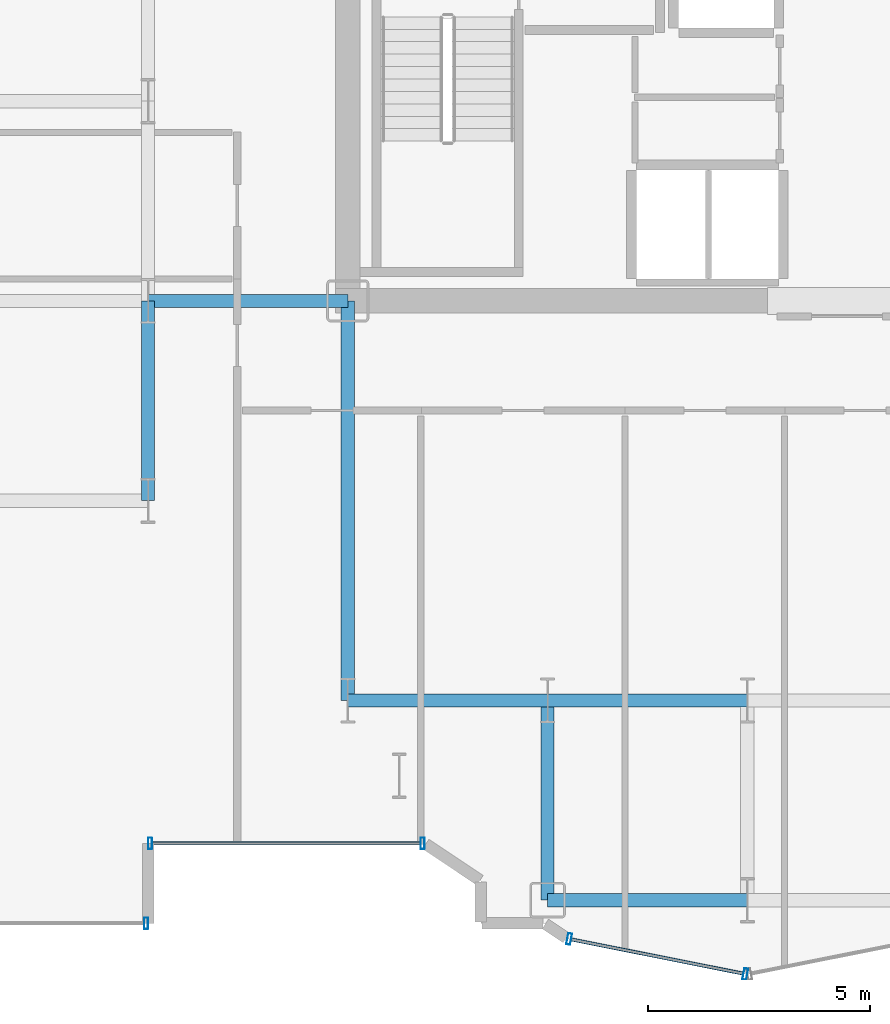
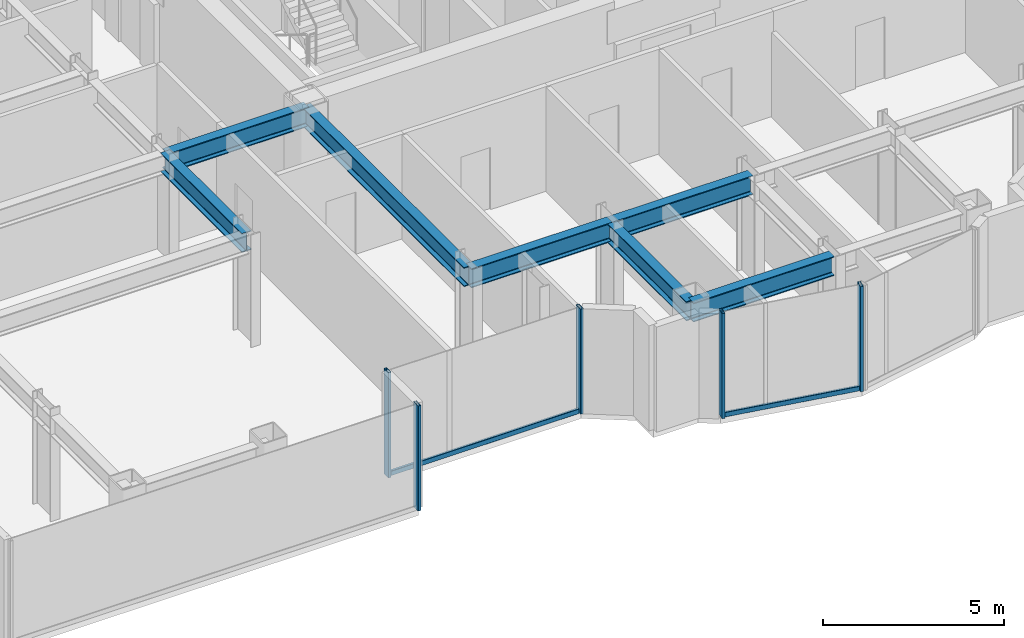
# One storey, part 4 of 26: 7 beams, 7 members, 3 elements without a shape of their own.
"""IFC4 building model written with IfcOpenShell, lengths in metres."""

from ifc_helpers import new_model, si_unit, direction, frame, origin, origin_2d, place, context, subcontext, project, spatial, hollow_rectangle, i_section, extrude, source, transform, mapped, material, layer, layer_set, material_profile, profile_set, type_object, element, aggregate, save


model = new_model("IFC4")

# Units and contexts
model_context = context("Model", 3, precision=1e-05, world=origin(), true_north=direction((0.0, 1.0)))
body_context = subcontext(model_context, "Body", "Model", "MODEL_VIEW")
ifc_project = project(units=[si_unit("LENGTHUNIT", "METRE"), si_unit("AREAUNIT", "SQUARE_METRE"), si_unit("VOLUMEUNIT", "CUBIC_METRE"), si_unit("PLANEANGLEUNIT", "RADIAN"), si_unit("MASSUNIT", "GRAM", prefix="KILO")], contexts=[model_context])

# Site, building, storey
site_placement = place(None, origin())
site = spatial("IfcSite", under=ifc_project, at=site_placement, CompositionType="ELEMENT")
building_placement = place(site_placement, origin())
building = spatial("IfcBuilding", under=site, at=building_placement, Name="Nefas-Gora Pilgrimage Tower", CompositionType="ELEMENT")
storey_placement = place(building_placement, frame((0.0, 0.0, 121.199951171875)))
storey = spatial("IfcBuildingStorey", under=building, at=storey_placement, Name="L29", CompositionType="ELEMENT", Elevation=121.199951171875)

# Beams
ifc_material_1 = material(Name="Steel S355", Category="steel")
ifc_material_profile_1 = material_profile(ifc_material_1, i_section(OverallWidth=0.300048828125, OverallDepth=0.64990234375, WebThickness=0.01611328125, FlangeThickness=0.031005859375, FilletRadius=0.027099609375, at=origin_2d()), Name="HEB 650")
ifc_profile_set_1 = profile_set([ifc_material_profile_1], Name="Steel S355")
beam_type = type_object("IfcBeamType", Name="BM-GIR-HEB650", PredefinedType="BEAM", material=ifc_profile_set_1)
shared_shape_1 = source(origin(), body_context, "Body", "SweptSolid", [
    extrude(i_section(OverallWidth=0.300048828125, OverallDepth=0.64990234375, WebThickness=0.01611328125, FlangeThickness=0.031005859375, FilletRadius=0.027099609375, at=origin_2d()), origin(), (0.0, 0.0, 1.0), 9.0),
])
beam_placement = place(storey_placement, frame((-11.25, -18.0, 3.22509765625), z_axis=(0.0, 1.0, 0.0), x_axis=(-1.0, 0.0, 0.0)))
element("IfcBeam", 1, at=beam_placement, inside=storey, type_object=beam_type, Name="L29 G-03 beam", PredefinedType="BEAM", context=body_context, shape_type="MappedRepresentation", body=[
    mapped(shared_shape_1, transform((0.0, 0.0, 0.0), x_axis=(1.0, 0.0, 0.0), y_axis=(0.0, 1.0, 0.0), z_axis=(0.0, 0.0, 1.0), scale=1.0)),
])
shared_shape_2 = source(origin(), body_context, "Body", "SweptSolid", [
    extrude(i_section(OverallWidth=0.300048828125, OverallDepth=0.64990234375, WebThickness=0.01611328125, FlangeThickness=0.031005859375, FilletRadius=0.027099609375, at=origin_2d()), origin(), (0.0, 0.0, 1.0), 4.5),
])
for number, where, z_axis, x_axis, name in (
    (2, (-15.75, -13.5, 3.22509765625), (0.0, 1.0, 0.0), (-1.0, 0.0, 0.0), "L29 G-03 beam"),
    (3, (-15.75, -9.0, 3.22509765625), (1.0, 0.0, 0.0), (0.0, 1.0, 0.0), "L29 G-03 beam"),
    (4, (-11.25, -18.0, 3.22509765625), (1.0, 0.0, 0.0), (0.0, 1.0, 0.0), "L29 G-03 beam"),
    (5, (-6.75, -22.5, 3.22509765625), (0.0, 1.0, 0.0), (-1.0, 0.0, 0.0), "L29 G-03 beam"),
    (6, (-6.75, -22.5, 3.22509765625), (1.0, 0.0, 0.0), (0.0, 1.0, 0.0), "L29 G-03 beam"),
    (7, (-6.75, -18.0, 3.22509765625), (1.0, 0.0, 0.0), (0.0, 1.0, 0.0), "L29 G-03 beam"),
):
    element("IfcBeam", number, at=place(storey_placement, frame(where, z_axis=z_axis, x_axis=x_axis)), inside=storey, type_object=beam_type, Name=name, PredefinedType="BEAM", context=body_context, shape_type="MappedRepresentation", body=[
        mapped(shared_shape_2, transform((0.0, 0.0, 0.0), x_axis=(1.0, 0.0, 0.0), y_axis=(0.0, 1.0, 0.0), z_axis=(0.0, 0.0, 1.0), scale=1.0)),
    ])

# Curtain wall, members
ifc_material_2 = material(Name="Dark ceramic-fritted solar-control aluminium-glass curtain wall", Category="aluminium")
ifc_layer_1 = layer(ifc_material_2, 0.219970703125)
ifc_layer_set_1 = layer_set([ifc_layer_1], Name="Dark ceramic-fritted solar-control aluminium-glass curtain wall")
curtain_wall_type_1 = type_object("IfcCurtainWallType", Name="CW-SYS-5", PredefinedType="NOTDEFINED", material=ifc_layer_set_1)
curtain_wall_1_placement = place(storey_placement, origin())
curtain_wall_1 = element("IfcCurtainWall", 8, at=curtain_wall_1_placement, inside=storey, type_object=curtain_wall_type_1, Name="L29 Unitised Curtain Wall CW5", PredefinedType="NOTDEFINED")
ifc_material_3 = material(Name="Anodised architectural aluminium", Category="aluminium")
ifc_material_profile_2 = material_profile(ifc_material_3, hollow_rectangle(XDim=0.090087890625, YDim=0.260009765625, WallThickness=0.006103515625, InnerFilletRadius=0.006103515625, OuterFilletRadius=0.011962890625, at=origin_2d()), Name="ALU MULLION 90x260")
ifc_profile_set_2 = profile_set([ifc_material_profile_2], Name="Anodised architectural aluminium")
member_type_1 = type_object("IfcMemberType", Name="CWM-MUL-5", PredefinedType="MULLION", material=ifc_profile_set_2)
shared_shape_3 = source(origin(), body_context, "Body", "SweptSolid", [
    extrude(hollow_rectangle(XDim=0.090087890625, YDim=0.260009765625, WallThickness=0.006103515625, InnerFilletRadius=0.006103515625, OuterFilletRadius=0.011962890625, at=origin_2d()), origin(), (0.0, 0.0, 1.0), 3.550048828125),
])
member_1_placement = place(storey_placement, frame((-15.705078125, -21.219970703125, 0.0), z_axis=(0.0, 0.0, 1.0), x_axis=(1.0, 0.0, 0.0)))
member_1 = element("IfcMember", 9, at=member_1_placement, type_object=member_type_1, Name="CW5 Mullion 1", PredefinedType="MULLION", context=body_context, shape_type="MappedRepresentation", body=[
    mapped(shared_shape_3, transform((0.0, 0.0, 0.0), x_axis=(1.0, 0.0, 0.0), y_axis=(0.0, 1.0, 0.0), z_axis=(0.0, 0.0, 1.0), scale=1.0)),
])
member_2_placement = place(storey_placement, frame((-9.56298828125, -21.219970703125, 0.0), z_axis=(0.0, 0.0, 1.0), x_axis=(1.0, 0.0, 0.0)))
member_2 = element("IfcMember", 10, at=member_2_placement, type_object=member_type_1, Name="CW5 Mullion 2", PredefinedType="MULLION", context=body_context, shape_type="MappedRepresentation", body=[
    mapped(shared_shape_3, transform((0.0, 0.0, 0.0), x_axis=(1.0, 0.0, 0.0), y_axis=(0.0, 1.0, 0.0), z_axis=(0.0, 0.0, 1.0), scale=1.0)),
])

curtain_wall_2_placement = place(storey_placement, origin())
curtain_wall_2 = element("IfcCurtainWall", 11, at=curtain_wall_2_placement, inside=storey, type_object=curtain_wall_type_1, Name="L29 Unitised Curtain Wall CW5", PredefinedType="NOTDEFINED")
member_3_placement = place(storey_placement, frame((-6.26318359375, -23.3740234375, 0.0), z_axis=(0.0, 0.0, 1.0), x_axis=(0.980782896852, -0.195102304554, 0.0)))
member_3 = element("IfcMember", 12, at=member_3_placement, type_object=member_type_1, Name="CW5 Mullion 1", PredefinedType="MULLION", context=body_context, shape_type="MappedRepresentation", body=[
    mapped(shared_shape_3, transform((0.0, 0.0, 0.0), x_axis=(1.0, 0.0, 0.0), y_axis=(0.0, 1.0, 0.0), z_axis=(0.0, 0.0, 1.0), scale=1.0)),
])
member_4_placement = place(storey_placement, frame((-2.294189453125, -24.16357421875, 0.0), z_axis=(0.0, 0.0, 1.0), x_axis=(0.980782896852, -0.195102304554, 0.0)))
member_4 = element("IfcMember", 13, at=member_4_placement, type_object=member_type_1, Name="CW5 Mullion 2", PredefinedType="MULLION", context=body_context, shape_type="MappedRepresentation", body=[
    mapped(shared_shape_3, transform((0.0, 0.0, 0.0), x_axis=(1.0, 0.0, 0.0), y_axis=(0.0, 1.0, 0.0), z_axis=(0.0, 0.0, 1.0), scale=1.0)),
])

# Member
ifc_material_profile_3 = material_profile(ifc_material_3, hollow_rectangle(XDim=0.080078125, YDim=0.159912109375, WallThickness=0.00439453125, InnerFilletRadius=0.00439453125, OuterFilletRadius=0.009033203125, at=origin_2d()), Name="ALU TRANSOM 80x160")
ifc_profile_set_3 = profile_set([ifc_material_profile_3], Name="Anodised architectural aluminium")
member_type_2 = type_object("IfcMemberType", Name="CWM-TRN-5", PredefinedType="USERDEFINED", material=ifc_profile_set_3)
shared_shape_4 = source(origin(), body_context, "Body", "SweptSolid", [
    extrude(hollow_rectangle(XDim=0.080078125, YDim=0.159912109375, WallThickness=0.00439453125, InnerFilletRadius=0.00439453125, OuterFilletRadius=0.009033203125, at=origin_2d()), origin(), (0.0, 0.0, 1.0), 6.052001953125),
])
member_5_placement = place(storey_placement, frame((-15.659912109375, -21.219970703125, 0.050048828125), z_axis=(1.0, 0.0, 0.0), x_axis=(0.0, 1.0, 0.0)))
member_5 = element("IfcMember", 14, at=member_5_placement, type_object=member_type_2, Name="CW5 Spandrel Transom", ObjectType="TRANSOM", PredefinedType="USERDEFINED", context=body_context, shape_type="MappedRepresentation", body=[
    mapped(shared_shape_4, transform((0.0, 0.0, 0.0), x_axis=(1.0, 0.0, 0.0), y_axis=(0.0, 1.0, 0.0), z_axis=(0.0, 0.0, 1.0), scale=1.0)),
])

aggregate(curtain_wall_1, [member_1, member_2, member_5])

# Curtain wall, member
ifc_layer_2 = layer(ifc_material_2, 0.219970703125)
ifc_layer_set_2 = layer_set([ifc_layer_2], Name="Dark ceramic-fritted solar-control aluminium-glass curtain wall")
curtain_wall_type_2 = type_object("IfcCurtainWallType", Name="CW-SYS-2", PredefinedType="NOTDEFINED", material=ifc_layer_set_2)
curtain_wall_3_placement = place(storey_placement, origin())
curtain_wall_3 = element("IfcCurtainWall", 15, at=curtain_wall_3_placement, inside=storey, type_object=curtain_wall_type_2, Name="L29 Unitised Curtain Wall CW2", PredefinedType="NOTDEFINED")
ifc_material_profile_4 = material_profile(ifc_material_3, hollow_rectangle(XDim=0.090087890625, YDim=0.260009765625, WallThickness=0.006103515625, InnerFilletRadius=0.006103515625, OuterFilletRadius=0.011962890625, at=origin_2d()), Name="ALU MULLION 90x260")
ifc_profile_set_4 = profile_set([ifc_material_profile_4], Name="Anodised architectural aluminium")
member_type_3 = type_object("IfcMemberType", Name="CWM-MUL-2", PredefinedType="MULLION", material=ifc_profile_set_4)
shared_shape_5 = source(origin(), body_context, "Body", "SweptSolid", [
    extrude(hollow_rectangle(XDim=0.090087890625, YDim=0.260009765625, WallThickness=0.006103515625, InnerFilletRadius=0.006103515625, OuterFilletRadius=0.011962890625, at=origin_2d()), origin(), (0.0, 0.0, 1.0), 3.550048828125),
])
member_6_placement = place(storey_placement, frame((-15.794921875, -23.02001953125, 0.0), z_axis=(0.0, 0.0, 1.0), x_axis=(1.0, 0.0, 0.0)))
member_6 = element("IfcMember", 16, at=member_6_placement, type_object=member_type_3, Name="CW2 Mullion 2", PredefinedType="MULLION", context=body_context, shape_type="MappedRepresentation", body=[
    mapped(shared_shape_5, transform((0.0, 0.0, 0.0), x_axis=(1.0, 0.0, 0.0), y_axis=(0.0, 1.0, 0.0), z_axis=(0.0, 0.0, 1.0), scale=1.0)),
])
aggregate(curtain_wall_3, [member_6])

# Member
shared_shape_6 = source(origin(), body_context, "Body", "SweptSolid", [
    extrude(hollow_rectangle(XDim=0.080078125, YDim=0.159912109375, WallThickness=0.00439453125, InnerFilletRadius=0.00439453125, OuterFilletRadius=0.009033203125, at=origin_2d()), origin(), (0.0, 0.0, 1.0), 3.95654296875),
])
member_7_placement = place(storey_placement, frame((-6.218994140625, -23.3828125, 0.050048828125), z_axis=(0.980781880918, -0.195107411605, 0.0), x_axis=(0.195107411605, 0.980781880918, 0.0)))
member_7 = element("IfcMember", 17, at=member_7_placement, type_object=member_type_2, Name="CW5 Spandrel Transom", ObjectType="TRANSOM", PredefinedType="USERDEFINED", context=body_context, shape_type="MappedRepresentation", body=[
    mapped(shared_shape_6, transform((0.0, 0.0, 0.0), x_axis=(1.0, 0.0, 0.0), y_axis=(0.0, 1.0, 0.0), z_axis=(0.0, 0.0, 1.0), scale=1.0)),
])

aggregate(curtain_wall_2, [member_3, member_4, member_7])

save(model, "model.ifc")
